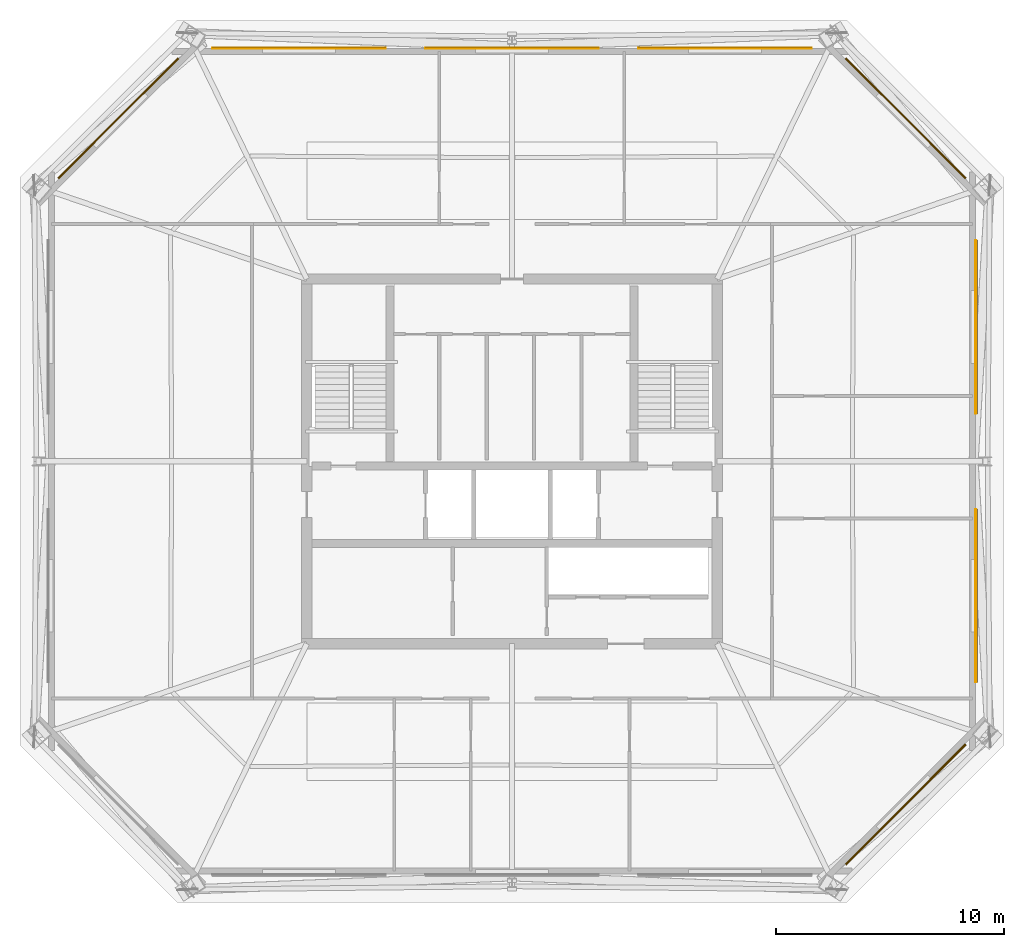
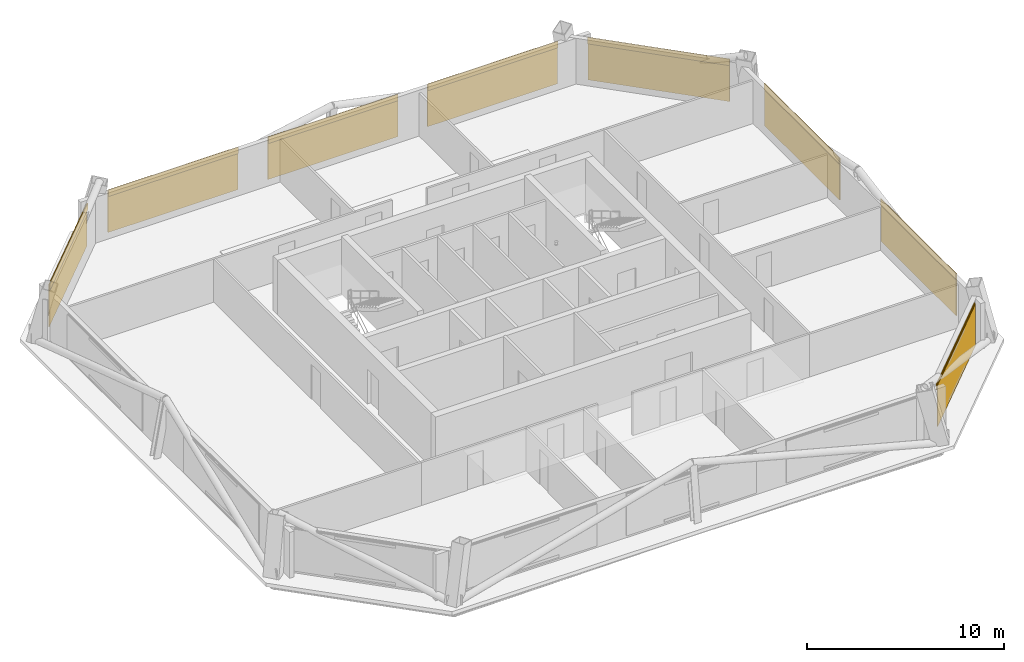
# One storey, part 6 of 6: 8 coverings, 8 shading devices.
"""IFC4 building model written with IfcOpenShell, lengths in metres."""

from ifc_helpers import new_model, si_unit, direction, frame, origin, origin_2d, place, context, subcontext, project, spatial, rectangle, extrude, material, layer, layer_set, type_object, element, save


model = new_model("IFC4")

# Units and contexts
model_context = context("Model", 3, precision=1e-05, world=origin(), true_north=direction((0.0, 1.0)))
body_context = subcontext(model_context, "Body", "Model", "MODEL_VIEW")
ifc_project = project(units=[si_unit("LENGTHUNIT", "METRE"), si_unit("AREAUNIT", "SQUARE_METRE"), si_unit("VOLUMEUNIT", "CUBIC_METRE"), si_unit("PLANEANGLEUNIT", "RADIAN"), si_unit("MASSUNIT", "GRAM", prefix="KILO")], contexts=[model_context])

# Site, building, storey
site_placement = place(None, origin())
site = spatial("IfcSite", under=ifc_project, at=site_placement, CompositionType="ELEMENT")
building_placement = place(site_placement, origin())
building = spatial("IfcBuilding", under=site, at=building_placement, Name="Caelvoria Tower", CompositionType="ELEMENT")
storey_placement = place(building_placement, frame((0.0, 0.0, 216.60009765625)))
storey = spatial("IfcBuildingStorey", under=building, at=storey_placement, Name="L57", CompositionType="ELEMENT", Elevation=216.60009765625)

# Coverings
ifc_material_1 = material(Name="Perforated Architectural Bronze Cladding Screen", Category="bronze")
ifc_layer_1 = layer(ifc_material_1, 0.0400390625, Name="Perforated Architectural Bronze Cladding Screen")
ifc_layer_set_1 = layer_set([ifc_layer_1], Name="Perforated Bronze Louvre Cladding Band 40 - Perforated Architectural Bronze Cladding Screen")
covering_type = type_object("IfcCoveringType", Name="Perforated Bronze Louvre Cladding Band 40", PredefinedType="CLADDING", material=ifc_layer_set_1)
covering_1_placement = place(storey_placement, frame((63.25830078125, 16.964599609375, 2.411865234375), z_axis=(0.0, 0.0, 1.0), x_axis=(0.707106781187, 0.707106781187, 0.0)))
element("IfcCovering", 1, at=covering_1_placement, inside=storey, type_object=covering_type, Name="Perforated Bronze Screen Band L57-E1-00", PredefinedType="CLADDING", context=body_context, shape_type="SweptSolid", body=[
    extrude(rectangle(XDim=7.436767578125, YDim=0.0400390625, at=origin_2d()), origin(), (0.0, 0.0, 1.0), 0.39990234375),
])
for number, where, z_axis, x_axis, name in (
    (2, (66.350830078125, 26.102783203125, 2.411865234375), (0.0, 0.0, 1.0), (0.0, 1.0, 0.0), "Perforated Bronze Screen Band L57-E2-00"),
    (3, (66.350830078125, 37.897216796875, 2.411865234375), (0.0, 0.0, 1.0), (0.0, 1.0, 0.0), "Perforated Bronze Screen Band L57-E2-01"),
):
    element("IfcCovering", number, at=place(storey_placement, frame(where, z_axis=z_axis, x_axis=x_axis)), inside=storey, type_object=covering_type, Name=name, PredefinedType="CLADDING", context=body_context, shape_type="SweptSolid", body=[
        extrude(rectangle(XDim=7.60009765625, YDim=0.0400390625, at=origin_2d()), origin(), (0.0, 0.0, 1.0), 0.39990234375),
    ])
covering_2_placement = place(storey_placement, frame((63.25830078125, 47.035400390625, 2.411865234375), z_axis=(0.0, 0.0, 1.0), x_axis=(-0.707106781187, 0.707106781187, 0.0)))
element("IfcCovering", 4, at=covering_2_placement, inside=storey, type_object=covering_type, Name="Perforated Bronze Screen Band L57-E3-00", PredefinedType="CLADDING", context=body_context, shape_type="SweptSolid", body=[
    extrude(rectangle(XDim=7.436767578125, YDim=0.0400390625, at=origin_2d()), origin(), (0.0, 0.0, 1.0), 0.39990234375),
])
for number, where, z_axis, x_axis, name in (
    (5, (55.344970703125, 50.128173828125, 2.411865234375), (0.0, 0.0, 1.0), (-1.0, 0.0, 0.0), "Perforated Bronze Screen Band L57-E4-00"),
    (6, (46.0, 50.128173828125, 2.411865234375), (0.0, 0.0, 1.0), (-1.0, 0.0, 0.0), "Perforated Bronze Screen Band L57-E4-01"),
    (7, (36.655029296875, 50.128173828125, 2.411865234375), (0.0, 0.0, 1.0), (-1.0, 0.0, 0.0), "Perforated Bronze Screen Band L57-E4-02"),
):
    element("IfcCovering", number, at=place(storey_placement, frame(where, z_axis=z_axis, x_axis=x_axis)), inside=storey, type_object=covering_type, Name=name, PredefinedType="CLADDING", context=body_context, shape_type="SweptSolid", body=[
        extrude(rectangle(XDim=7.60009765625, YDim=0.0400390625, at=origin_2d()), origin(), (0.0, 0.0, 1.0), 0.39990234375),
    ])
covering_3_placement = place(storey_placement, frame((28.74169921875, 47.035400390625, 2.411865234375), z_axis=(0.0, 0.0, 1.0), x_axis=(-0.707106781187, -0.707106781187, 0.0)))
element("IfcCovering", 8, at=covering_3_placement, inside=storey, type_object=covering_type, Name="Perforated Bronze Screen Band L57-E5-00", PredefinedType="CLADDING", context=body_context, shape_type="SweptSolid", body=[
    extrude(rectangle(XDim=7.436767578125, YDim=0.0400390625, at=origin_2d()), origin(), (0.0, 0.0, 1.0), 0.39990234375),
])

# Shading devices
ifc_material_2 = material(Name="Perforated Architectural Bronze Alloy Panel", Category="bronze")
ifc_layer_2 = layer(ifc_material_2, 0.044921875, Name="Perforated Architectural Bronze Alloy Panel")
ifc_layer_set_2 = layer_set([ifc_layer_2], Name="Perforated Bronze Solar Screen Panel SCREEN - Perforated Architectural Bronze Alloy Panel")
shading_device_type = type_object("IfcShadingDeviceType", Name="Perforated Bronze Solar Screen Panel SCREEN", PredefinedType="USERDEFINED", material=ifc_layer_set_2)
shading_device_1_placement = place(storey_placement, frame((63.28857421875, 16.93408203125, 0.15966796875), z_axis=(0.0, 0.0, 1.0), x_axis=(0.707106781187, 0.707106781187, 0.0)))
element("IfcShadingDevice", 9, at=shading_device_1_placement, inside=storey, type_object=shading_device_type, Name="Perforated Bronze Solar Screen L57-E1-00", ObjectType="SCREEN", PredefinedType="USERDEFINED", context=body_context, shape_type="SweptSolid", body=[
    extrude(rectangle(XDim=7.436767578125, YDim=0.044921875, at=origin_2d()), origin(), (0.0, 0.0, 1.0), 2.592041015625),
])
for number, where, z_axis, x_axis, name in (
    (10, (66.393798828125, 26.102783203125, 0.15966796875), (0.0, 0.0, 1.0), (0.0, 1.0, 0.0), "Perforated Bronze Solar Screen L57-E2-00"),
    (11, (66.393798828125, 37.897216796875, 0.15966796875), (0.0, 0.0, 1.0), (0.0, 1.0, 0.0), "Perforated Bronze Solar Screen L57-E2-01"),
):
    element("IfcShadingDevice", number, at=place(storey_placement, frame(where, z_axis=z_axis, x_axis=x_axis)), inside=storey, type_object=shading_device_type, Name=name, ObjectType="SCREEN", PredefinedType="USERDEFINED", context=body_context, shape_type="SweptSolid", body=[
        extrude(rectangle(XDim=7.60009765625, YDim=0.044921875, at=origin_2d()), origin(), (0.0, 0.0, 1.0), 2.592041015625),
    ])
shading_device_2_placement = place(storey_placement, frame((63.28857421875, 47.06591796875, 0.15966796875), z_axis=(0.0, 0.0, 1.0), x_axis=(-0.707106781187, 0.707106781187, 0.0)))
element("IfcShadingDevice", 12, at=shading_device_2_placement, inside=storey, type_object=shading_device_type, Name="Perforated Bronze Solar Screen L57-E3-00", ObjectType="SCREEN", PredefinedType="USERDEFINED", context=body_context, shape_type="SweptSolid", body=[
    extrude(rectangle(XDim=7.436767578125, YDim=0.044921875, at=origin_2d()), origin(), (0.0, 0.0, 1.0), 2.592041015625),
])
for number, where, z_axis, x_axis, name in (
    (13, (55.344970703125, 50.171142578125, 0.15966796875), (0.0, 0.0, 1.0), (-1.0, 0.0, 0.0), "Perforated Bronze Solar Screen L57-E4-00"),
    (14, (46.0, 50.171142578125, 0.15966796875), (0.0, 0.0, 1.0), (-1.0, 0.0, 0.0), "Perforated Bronze Solar Screen L57-E4-01"),
    (15, (36.655029296875, 50.171142578125, 0.15966796875), (0.0, 0.0, 1.0), (-1.0, 0.0, 0.0), "Perforated Bronze Solar Screen L57-E4-02"),
):
    element("IfcShadingDevice", number, at=place(storey_placement, frame(where, z_axis=z_axis, x_axis=x_axis)), inside=storey, type_object=shading_device_type, Name=name, ObjectType="SCREEN", PredefinedType="USERDEFINED", context=body_context, shape_type="SweptSolid", body=[
        extrude(rectangle(XDim=7.60009765625, YDim=0.044921875, at=origin_2d()), origin(), (0.0, 0.0, 1.0), 2.592041015625),
    ])
shading_device_3_placement = place(storey_placement, frame((28.71142578125, 47.06591796875, 0.15966796875), z_axis=(0.0, 0.0, 1.0), x_axis=(-0.707106781187, -0.707106781187, 0.0)))
element("IfcShadingDevice", 16, at=shading_device_3_placement, inside=storey, type_object=shading_device_type, Name="Perforated Bronze Solar Screen L57-E5-00", ObjectType="SCREEN", PredefinedType="USERDEFINED", context=body_context, shape_type="SweptSolid", body=[
    extrude(rectangle(XDim=7.436767578125, YDim=0.044921875, at=origin_2d()), origin(), (0.0, 0.0, 1.0), 2.592041015625),
])

save(model, "model.ifc")
